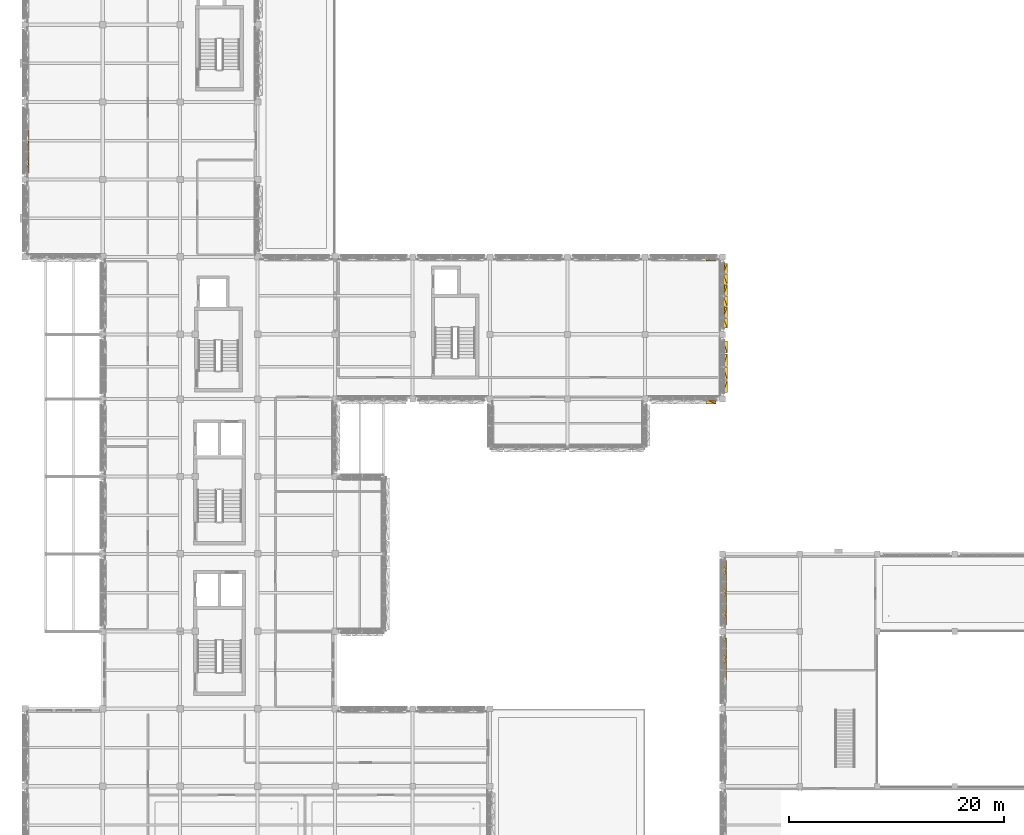
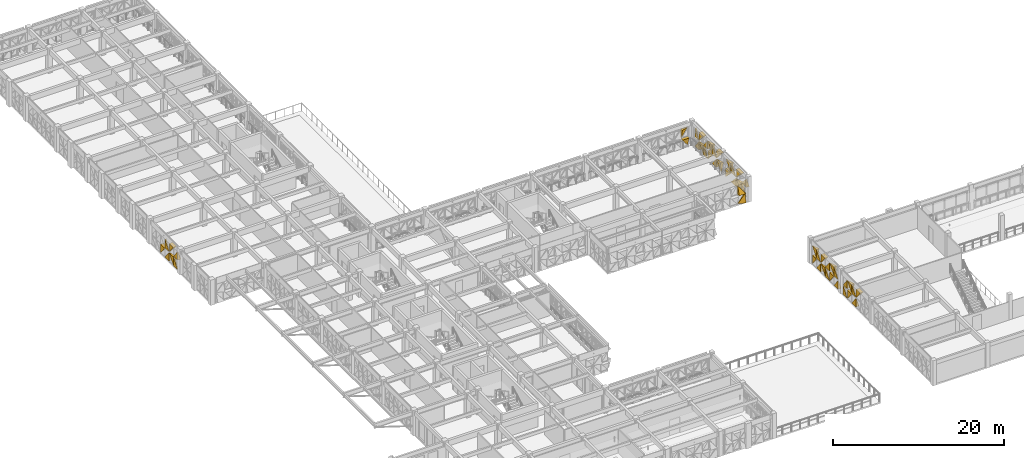
# One storey, part 95 of 99: 50 coverings.
"""IFC4 building model written with IfcOpenShell, lengths in metres."""

from ifc_helpers import new_model, si_unit, direction, frame, origin, place, context, subcontext, project, spatial, polygons, material, layer, layer_set, type_object, element, save


model = new_model("IFC4")

# Units and contexts
model_context = context("Model", 3, precision=1e-05, world=origin(), true_north=direction((0.0, 1.0)))
body_context = subcontext(model_context, "Body", "Model", "MODEL_VIEW")
ifc_project = project(units=[si_unit("LENGTHUNIT", "METRE"), si_unit("AREAUNIT", "SQUARE_METRE"), si_unit("VOLUMEUNIT", "CUBIC_METRE"), si_unit("PLANEANGLEUNIT", "RADIAN"), si_unit("MASSUNIT", "GRAM", prefix="KILO")], contexts=[model_context])

# Site, building, storey
site_placement = place(None, origin())
site = spatial("IfcSite", under=ifc_project, at=site_placement, CompositionType="ELEMENT")
building_placement = place(site_placement, origin())
building = spatial("IfcBuilding", under=site, at=building_placement, Name="Alvorim Cloister Faculty of Sciences", CompositionType="ELEMENT")
storey_placement = place(building_placement, frame((0.0, 0.0, 12.14990234375)))
storey = spatial("IfcBuildingStorey", under=building, at=storey_placement, Name="L03", CompositionType="ELEMENT", Elevation=12.14990234375)

# Coverings
ifc_material = material(Name="Perforated Bronze Alloy Sheet", Category="metal")
ifc_layer = layer(ifc_material, 0.0380859375)
ifc_layer_set = layer_set([ifc_layer], Name="Perforated Bronze Alloy Sheet")
covering_type = type_object("IfcCoveringType", Name="COV-TRI-BRZ", PredefinedType="CLADDING", material=ifc_layer_set)
covering_1_placement = place(storey_placement, frame((-0.044921875, 64.205078125, 0.14013671875), z_axis=(0.0, 0.0, 1.0), x_axis=(0.0, 1.0, 0.0)))
element("IfcCovering", 1, at=covering_1_placement, inside=storey, type_object=covering_type, Name="Diagonal Solid Metal Triangle TRI-BR", PredefinedType="CLADDING", context=body_context, shape_type="Tessellation", body=[
    polygons([(0.002, 0.0260009765625, 0.0), (0.922607421875, 0.0260009765625, 0.0), (0.922607421875, 0.0260009765625, 1.21284375), (0.002, -0.03, 0.0), (0.922607421875, -0.4, 0.0), (0.922607421875, -0.18000000000000002, 1.21284375)], [[[1, 3, 2]], [[4, 5, 6]], [[1, 2, 5, 4]], [[2, 3, 6, 5]], [[3, 1, 4, 6]]], closed=True),
])
covering_2_placement = place(storey_placement, frame((-0.044921875, 64.205078125, 1.4951171875), z_axis=(0.0, 0.0, 1.0), x_axis=(0.0, 1.0, 0.0)))
element("IfcCovering", 2, at=covering_2_placement, inside=storey, type_object=covering_type, Name="Diagonal Solid Metal Triangle TRI-BL", PredefinedType="CLADDING", context=body_context, shape_type="Tessellation", body=[
    polygons([(0.0, 0.0260009765625, 0.0), (0.920607421875, 0.0260009765625, 0.0), (0.0, 0.0260009765625, 1.213087890625), (0.0, -0.4, 0.0), (0.920607421875, -0.4, 0.0), (0.0, -0.03, 1.213087890625)], [[[1, 3, 2]], [[4, 5, 6]], [[1, 2, 5, 4]], [[2, 3, 6, 5]], [[3, 1, 4, 6]]], closed=True),
])
covering_3_placement = place(storey_placement, frame((-0.044921875, 65.1923828125, 0.14013671875), z_axis=(0.0, 0.0, 1.0), x_axis=(0.0, 1.0, 0.0)))
element("IfcCovering", 3, at=covering_3_placement, inside=storey, type_object=covering_type, Name="Diagonal Solid Metal Triangle TRI-TL", PredefinedType="CLADDING", context=body_context, shape_type="Tessellation", body=[
    polygons([(0.953078125, 0.0260009765625, 1.21484375), (0.0, 0.0260009765625, 1.21484375), (0.0, 0.0260009765625, 0.002), (0.953078125, -0.03, 1.21484375), (0.0, -0.4, 1.21484375), (0.0, -0.13999999999999999, 0.002)], [[[1, 3, 2]], [[4, 5, 6]], [[1, 2, 5, 4]], [[2, 3, 6, 5]], [[3, 1, 4, 6]]], closed=True),
])
covering_4_placement = place(storey_placement, frame((-0.044921875, 65.1923828125, 1.4951171875), z_axis=(0.0, 0.0, 1.0), x_axis=(0.0, 1.0, 0.0)))
element("IfcCovering", 4, at=covering_4_placement, inside=storey, type_object=covering_type, Name="Diagonal Solid Metal Triangle TRI-TR", PredefinedType="CLADDING", context=body_context, shape_type="Tessellation", body=[
    polygons([(0.955078125, 0.0260009765625, 0.002), (0.955078125, 0.0260009765625, 1.215087890625), (0.002, 0.0260009765625, 1.215087890625), (0.955078125, -0.03, 0.002), (0.955078125, -0.4, 1.215087890625), (0.002, -0.4, 1.215087890625)], [[[1, 3, 2]], [[4, 5, 6]], [[1, 2, 5, 4]], [[2, 3, 6, 5]], [[3, 1, 4, 6]]], closed=True),
])
covering_5_placement = place(storey_placement, frame((-0.044921875, 66.21240234375, 0.14013671875), z_axis=(0.0, 0.0, 1.0), x_axis=(0.0, 1.0, 0.0)))
element("IfcCovering", 5, at=covering_5_placement, inside=storey, type_object=covering_type, Name="Diagonal Solid Metal Triangle TRI-BL", PredefinedType="CLADDING", context=body_context, shape_type="Tessellation", body=[
    polygons([(0.0, 0.0260009765625, 0.0), (0.953078125, 0.0260009765625, 0.0), (0.0, 0.0260009765625, 1.21284375), (0.0, -0.4, 0.0), (0.953078125, -0.4, 0.0), (0.0, -0.03, 1.21284375)], [[[1, 3, 2]], [[4, 5, 6]], [[1, 2, 5, 4]], [[2, 3, 6, 5]], [[3, 1, 4, 6]]], closed=True),
])
covering_6_placement = place(storey_placement, frame((-0.044921875, 66.21240234375, 1.4951171875), z_axis=(0.0, 0.0, 1.0), x_axis=(0.0, 1.0, 0.0)))
element("IfcCovering", 6, at=covering_6_placement, inside=storey, type_object=covering_type, Name="Diagonal Solid Metal Triangle TRI-BR", PredefinedType="CLADDING", context=body_context, shape_type="Tessellation", body=[
    polygons([(0.002, 0.0260009765625, 0.0), (0.955078125, 0.0260009765625, 0.0), (0.955078125, 0.0260009765625, 1.213087890625), (0.002, -0.03, 0.0), (0.955078125, -0.4, 0.0), (0.955078125, -0.18000000000000002, 1.213087890625)], [[[1, 3, 2]], [[4, 5, 6]], [[1, 2, 5, 4]], [[2, 3, 6, 5]], [[3, 1, 4, 6]]], closed=True),
])
covering_7_placement = place(storey_placement, frame((-0.044921875, 67.232421875, 0.14013671875), z_axis=(0.0, 0.0, 1.0), x_axis=(0.0, 1.0, 0.0)))
element("IfcCovering", 7, at=covering_7_placement, inside=storey, type_object=covering_type, Name="Diagonal Solid Metal Triangle TRI-TR", PredefinedType="CLADDING", context=body_context, shape_type="Tessellation", body=[
    polygons([(0.955078125, 0.0260009765625, 0.002), (0.955078125, 0.0260009765625, 1.21484375), (0.002, 0.0260009765625, 1.21484375), (0.955078125, -0.03, 0.002), (0.955078125, -0.4, 1.21484375), (0.002, -0.4, 1.21484375)], [[[1, 3, 2]], [[4, 5, 6]], [[1, 2, 5, 4]], [[2, 3, 6, 5]], [[3, 1, 4, 6]]], closed=True),
])
covering_8_placement = place(storey_placement, frame((63.2724609375, 56.445068359375, 0.14013671875), z_axis=(0.0, 0.0, 1.0), x_axis=(1.0, 0.0, 0.0)))
element("IfcCovering", 8, at=covering_8_placement, inside=storey, type_object=covering_type, Name="Diagonal Solid Metal Triangle TRI-TR", PredefinedType="CLADDING", context=body_context, shape_type="Tessellation", body=[
    polygons([(0.922607421875, 0.0260009765625, 0.002), (0.922607421875, 0.0260009765625, 1.21484375), (0.002, 0.0260009765625, 1.21484375), (0.922607421875, -0.03, 0.002), (0.922607421875, -0.4, 1.21484375), (0.002, -0.4, 1.21484375)], [[[1, 3, 2]], [[4, 5, 6]], [[1, 2, 5, 4]], [[2, 3, 6, 5]], [[3, 1, 4, 6]]], closed=True),
])
covering_9_placement = place(storey_placement, frame((63.2724609375, 56.445068359375, 1.4951171875), z_axis=(0.0, 0.0, 1.0), x_axis=(1.0, 0.0, 0.0)))
element("IfcCovering", 9, at=covering_9_placement, inside=storey, type_object=covering_type, Name="Diagonal Solid Metal Triangle TRI-TL", PredefinedType="CLADDING", context=body_context, shape_type="Tessellation", body=[
    polygons([(0.920607421875, 0.0260009765625, 1.215087890625), (0.0, 0.0260009765625, 1.215087890625), (0.0, 0.0260009765625, 0.002), (0.920607421875, -0.03, 1.215087890625), (0.0, -0.4, 1.215087890625), (0.0, -0.13999999999999999, 0.002)], [[[1, 3, 2]], [[4, 5, 6]], [[1, 2, 5, 4]], [[2, 3, 6, 5]], [[3, 1, 4, 6]]], closed=True),
])
covering_10_placement = place(storey_placement, frame((64.844970703125, 49.804931640625, 0.14013671875), z_axis=(0.0, 0.0, 1.0), x_axis=(0.0, 1.0, 0.0)))
element("IfcCovering", 10, at=covering_10_placement, inside=storey, type_object=covering_type, Name="Diagonal Solid Metal Triangle TRI-TL", PredefinedType="CLADDING", context=body_context, shape_type="Tessellation", body=[
    polygons([(0.920607421875, 0.0260009765625, 1.21484375), (0.0, 0.0260009765625, 1.21484375), (0.0, 0.0260009765625, 0.002), (0.920607421875, -0.03, 1.21484375), (0.0, -0.4, 1.21484375), (0.0, -0.13999999999999999, 0.002)], [[[1, 3, 2]], [[4, 5, 6]], [[1, 2, 5, 4]], [[2, 3, 6, 5]], [[3, 1, 4, 6]]], closed=True),
])
covering_11_placement = place(storey_placement, frame((64.844970703125, 49.804931640625, 1.4951171875), z_axis=(0.0, 0.0, 1.0), x_axis=(0.0, 1.0, 0.0)))
element("IfcCovering", 11, at=covering_11_placement, inside=storey, type_object=covering_type, Name="Diagonal Solid Metal Triangle TRI-TR", PredefinedType="CLADDING", context=body_context, shape_type="Tessellation", body=[
    polygons([(0.922607421875, 0.0260009765625, 0.002), (0.922607421875, 0.0260009765625, 1.215087890625), (0.002, 0.0260009765625, 1.215087890625), (0.922607421875, -0.03, 0.002), (0.922607421875, -0.4, 1.215087890625), (0.002, -0.4, 1.215087890625)], [[[1, 3, 2]], [[4, 5, 6]], [[1, 2, 5, 4]], [[2, 3, 6, 5]], [[3, 1, 4, 6]]], closed=True),
])
covering_12_placement = place(storey_placement, frame((64.844970703125, 50.79248046875, 0.14013671875), z_axis=(0.0, 0.0, 1.0), x_axis=(0.0, 1.0, 0.0)))
element("IfcCovering", 12, at=covering_12_placement, inside=storey, type_object=covering_type, Name="Diagonal Solid Metal Triangle TRI-BL", PredefinedType="CLADDING", context=body_context, shape_type="Tessellation", body=[
    polygons([(0.0, 0.0260009765625, 0.0), (0.953078125, 0.0260009765625, 0.0), (0.0, 0.0260009765625, 1.21284375), (0.0, -0.4, 0.0), (0.953078125, -0.4, 0.0), (0.0, -0.03, 1.21284375)], [[[1, 3, 2]], [[4, 5, 6]], [[1, 2, 5, 4]], [[2, 3, 6, 5]], [[3, 1, 4, 6]]], closed=True),
])
covering_13_placement = place(storey_placement, frame((64.844970703125, 50.79248046875, 1.4951171875), z_axis=(0.0, 0.0, 1.0), x_axis=(0.0, 1.0, 0.0)))
element("IfcCovering", 13, at=covering_13_placement, inside=storey, type_object=covering_type, Name="Diagonal Solid Metal Triangle TRI-BR", PredefinedType="CLADDING", context=body_context, shape_type="Tessellation", body=[
    polygons([(0.002, 0.0260009765625, 0.0), (0.955078125, 0.0260009765625, 0.0), (0.955078125, 0.0260009765625, 1.213087890625), (0.002, -0.03, 0.0), (0.955078125, -0.4, 0.0), (0.955078125, -0.18000000000000002, 1.213087890625)], [[[1, 3, 2]], [[4, 5, 6]], [[1, 2, 5, 4]], [[2, 3, 6, 5]], [[3, 1, 4, 6]]], closed=True),
])
covering_14_placement = place(storey_placement, frame((64.844970703125, 51.8125, 0.14013671875), z_axis=(0.0, 0.0, 1.0), x_axis=(0.0, 1.0, 0.0)))
element("IfcCovering", 14, at=covering_14_placement, inside=storey, type_object=covering_type, Name="Diagonal Solid Metal Triangle TRI-TR", PredefinedType="CLADDING", context=body_context, shape_type="Tessellation", body=[
    polygons([(0.955078125, 0.0260009765625, 0.002), (0.955078125, 0.0260009765625, 1.21484375), (0.002, 0.0260009765625, 1.21484375), (0.955078125, -0.03, 0.002), (0.955078125, -0.4, 1.21484375), (0.002, -0.4, 1.21484375)], [[[1, 3, 2]], [[4, 5, 6]], [[1, 2, 5, 4]], [[2, 3, 6, 5]], [[3, 1, 4, 6]]], closed=True),
])
covering_15_placement = place(storey_placement, frame((64.844970703125, 51.8125, 1.4951171875), z_axis=(0.0, 0.0, 1.0), x_axis=(0.0, 1.0, 0.0)))
element("IfcCovering", 15, at=covering_15_placement, inside=storey, type_object=covering_type, Name="Diagonal Solid Metal Triangle TRI-TL", PredefinedType="CLADDING", context=body_context, shape_type="Tessellation", body=[
    polygons([(0.953078125, 0.0260009765625, 1.215087890625), (0.0, 0.0260009765625, 1.215087890625), (0.0, 0.0260009765625, 0.002), (0.953078125, -0.03, 1.215087890625), (0.0, -0.4, 1.215087890625), (0.0, -0.13999999999999999, 0.002)], [[[1, 3, 2]], [[4, 5, 6]], [[1, 2, 5, 4]], [[2, 3, 6, 5]], [[3, 1, 4, 6]]], closed=True),
])
covering_16_placement = place(storey_placement, frame((64.844970703125, 52.83251953125, 0.14013671875), z_axis=(0.0, 0.0, 1.0), x_axis=(0.0, 1.0, 0.0)))
element("IfcCovering", 16, at=covering_16_placement, inside=storey, type_object=covering_type, Name="Diagonal Solid Metal Triangle TRI-BR", PredefinedType="CLADDING", context=body_context, shape_type="Tessellation", body=[
    polygons([(0.002, 0.0260009765625, 0.0), (0.955078125, 0.0260009765625, 0.0), (0.955078125, 0.0260009765625, 1.21284375), (0.002, -0.03, 0.0), (0.955078125, -0.4, 0.0), (0.955078125, -0.18000000000000002, 1.21284375)], [[[1, 3, 2]], [[4, 5, 6]], [[1, 2, 5, 4]], [[2, 3, 6, 5]], [[3, 1, 4, 6]]], closed=True),
])
covering_17_placement = place(storey_placement, frame((64.844970703125, 52.83251953125, 1.4951171875), z_axis=(0.0, 0.0, 1.0), x_axis=(0.0, 1.0, 0.0)))
element("IfcCovering", 17, at=covering_17_placement, inside=storey, type_object=covering_type, Name="Diagonal Solid Metal Triangle TRI-BL", PredefinedType="CLADDING", context=body_context, shape_type="Tessellation", body=[
    polygons([(0.0, 0.0260009765625, 0.0), (0.953078125, 0.0260009765625, 0.0), (0.0, 0.0260009765625, 1.213087890625), (0.0, -0.4, 0.0), (0.953078125, -0.4, 0.0), (0.0, -0.03, 1.213087890625)], [[[1, 3, 2]], [[4, 5, 6]], [[1, 2, 5, 4]], [[2, 3, 6, 5]], [[3, 1, 4, 6]]], closed=True),
])
covering_18_placement = place(storey_placement, frame((64.844970703125, 53.8525390625, 0.14013671875), z_axis=(0.0, 0.0, 1.0), x_axis=(0.0, 1.0, 0.0)))
element("IfcCovering", 18, at=covering_18_placement, inside=storey, type_object=covering_type, Name="Diagonal Solid Metal Triangle TRI-TL", PredefinedType="CLADDING", context=body_context, shape_type="Tessellation", body=[
    polygons([(0.953078125, 0.0260009765625, 1.21484375), (0.0, 0.0260009765625, 1.21484375), (0.0, 0.0260009765625, 0.002), (0.953078125, -0.03, 1.21484375), (0.0, -0.4, 1.21484375), (0.0, -0.13999999999999999, 0.002)], [[[1, 3, 2]], [[4, 5, 6]], [[1, 2, 5, 4]], [[2, 3, 6, 5]], [[3, 1, 4, 6]]], closed=True),
])
covering_19_placement = place(storey_placement, frame((64.844970703125, 53.8525390625, 1.4951171875), z_axis=(0.0, 0.0, 1.0), x_axis=(0.0, 1.0, 0.0)))
element("IfcCovering", 19, at=covering_19_placement, inside=storey, type_object=covering_type, Name="Diagonal Solid Metal Triangle TRI-TR", PredefinedType="CLADDING", context=body_context, shape_type="Tessellation", body=[
    polygons([(0.955078125, 0.0260009765625, 0.002), (0.955078125, 0.0260009765625, 1.215087890625), (0.002, 0.0260009765625, 1.215087890625), (0.955078125, -0.03, 0.002), (0.955078125, -0.4, 1.215087890625), (0.002, -0.4, 1.215087890625)], [[[1, 3, 2]], [[4, 5, 6]], [[1, 2, 5, 4]], [[2, 3, 6, 5]], [[3, 1, 4, 6]]], closed=True),
])
covering_20_placement = place(storey_placement, frame((64.844970703125, 54.87255859375, 0.14013671875), z_axis=(0.0, 0.0, 1.0), x_axis=(0.0, 1.0, 0.0)))
element("IfcCovering", 20, at=covering_20_placement, inside=storey, type_object=covering_type, Name="Diagonal Solid Metal Triangle TRI-BL", PredefinedType="CLADDING", context=body_context, shape_type="Tessellation", body=[
    polygons([(0.0, 0.0260009765625, 0.0), (0.920607421875, 0.0260009765625, 0.0), (0.0, 0.0260009765625, 1.21284375), (0.0, -0.4, 0.0), (0.920607421875, -0.4, 0.0), (0.0, -0.03, 1.21284375)], [[[1, 3, 2]], [[4, 5, 6]], [[1, 2, 5, 4]], [[2, 3, 6, 5]], [[3, 1, 4, 6]]], closed=True),
])
covering_21_placement = place(storey_placement, frame((64.844970703125, 54.87255859375, 1.4951171875), z_axis=(0.0, 0.0, 1.0), x_axis=(0.0, 1.0, 0.0)))
element("IfcCovering", 21, at=covering_21_placement, inside=storey, type_object=covering_type, Name="Diagonal Solid Metal Triangle TRI-BR", PredefinedType="CLADDING", context=body_context, shape_type="Tessellation", body=[
    polygons([(0.002, 0.0260009765625, 0.0), (0.922607421875, 0.0260009765625, 0.0), (0.922607421875, 0.0260009765625, 1.213087890625), (0.002, -0.03, 0.0), (0.922607421875, -0.4, 0.0), (0.922607421875, -0.18000000000000002, 1.213087890625)], [[[1, 3, 2]], [[4, 5, 6]], [[1, 2, 5, 4]], [[2, 3, 6, 5]], [[3, 1, 4, 6]]], closed=True),
])
covering_22_placement = place(storey_placement, frame((64.844970703125, 43.804931640625, 0.14013671875), z_axis=(0.0, 0.0, 1.0), x_axis=(0.0, 1.0, 0.0)))
element("IfcCovering", 22, at=covering_22_placement, inside=storey, type_object=covering_type, Name="Diagonal Solid Metal Triangle TRI-BR", PredefinedType="CLADDING", context=body_context, shape_type="Tessellation", body=[
    polygons([(0.002, 0.0260009765625, 0.0), (1.132568359375, 0.0260009765625, 0.0), (1.132568359375, 0.0260009765625, 1.21284375), (0.002, -0.03, 0.0), (1.132568359375, -0.4, 0.0), (1.132568359375, -0.18000000000000002, 1.21284375)], [[[1, 3, 2]], [[4, 5, 6]], [[1, 2, 5, 4]], [[2, 3, 6, 5]], [[3, 1, 4, 6]]], closed=True),
])
covering_23_placement = place(storey_placement, frame((64.844970703125, 43.804931640625, 1.4951171875), z_axis=(0.0, 0.0, 1.0), x_axis=(0.0, 1.0, 0.0)))
element("IfcCovering", 23, at=covering_23_placement, inside=storey, type_object=covering_type, Name="Diagonal Solid Metal Triangle TRI-BL", PredefinedType="CLADDING", context=body_context, shape_type="Tessellation", body=[
    polygons([(0.0, 0.0260009765625, 0.0), (1.130568359375, 0.0260009765625, 0.0), (0.0, 0.0260009765625, 1.213087890625), (0.0, -0.4, 0.0), (1.130568359375, -0.4, 0.0), (0.0, -0.03, 1.213087890625)], [[[1, 3, 2]], [[4, 5, 6]], [[1, 2, 5, 4]], [[2, 3, 6, 5]], [[3, 1, 4, 6]]], closed=True),
])
covering_24_placement = place(storey_placement, frame((64.844970703125, 45.00244140625, 0.14013671875), z_axis=(0.0, 0.0, 1.0), x_axis=(0.0, 1.0, 0.0)))
element("IfcCovering", 24, at=covering_24_placement, inside=storey, type_object=covering_type, Name="Diagonal Solid Metal Triangle TRI-TL", PredefinedType="CLADDING", context=body_context, shape_type="Tessellation", body=[
    polygons([(1.1630390625, 0.0260009765625, 1.21484375), (0.0, 0.0260009765625, 1.21484375), (0.0, 0.0260009765625, 0.002), (1.1630390625, -0.03, 1.21484375), (0.0, -0.4, 1.21484375), (0.0, -0.13999999999999999, 0.002)], [[[1, 3, 2]], [[4, 5, 6]], [[1, 2, 5, 4]], [[2, 3, 6, 5]], [[3, 1, 4, 6]]], closed=True),
])
covering_25_placement = place(storey_placement, frame((64.844970703125, 45.00244140625, 1.4951171875), z_axis=(0.0, 0.0, 1.0), x_axis=(0.0, 1.0, 0.0)))
element("IfcCovering", 25, at=covering_25_placement, inside=storey, type_object=covering_type, Name="Diagonal Solid Metal Triangle TRI-TR", PredefinedType="CLADDING", context=body_context, shape_type="Tessellation", body=[
    polygons([(1.1650390625, 0.0260009765625, 0.002), (1.1650390625, 0.0260009765625, 1.215087890625), (0.002, 0.0260009765625, 1.215087890625), (1.1650390625, -0.03, 0.002), (1.1650390625, -0.4, 1.215087890625), (0.002, -0.4, 1.215087890625)], [[[1, 3, 2]], [[4, 5, 6]], [[1, 2, 5, 4]], [[2, 3, 6, 5]], [[3, 1, 4, 6]]], closed=True),
])
covering_26_placement = place(storey_placement, frame((64.844970703125, 46.232421875, 0.14013671875), z_axis=(0.0, 0.0, 1.0), x_axis=(0.0, 1.0, 0.0)))
element("IfcCovering", 26, at=covering_26_placement, inside=storey, type_object=covering_type, Name="Diagonal Solid Metal Triangle TRI-BL", PredefinedType="CLADDING", context=body_context, shape_type="Tessellation", body=[
    polygons([(0.0, 0.0260009765625, 0.0), (1.1630390625, 0.0260009765625, 0.0), (0.0, 0.0260009765625, 1.21284375), (0.0, -0.4, 0.0), (1.1630390625, -0.4, 0.0), (0.0, -0.03, 1.21284375)], [[[1, 3, 2]], [[4, 5, 6]], [[1, 2, 5, 4]], [[2, 3, 6, 5]], [[3, 1, 4, 6]]], closed=True),
])
covering_27_placement = place(storey_placement, frame((64.844970703125, 46.232421875, 1.4951171875), z_axis=(0.0, 0.0, 1.0), x_axis=(0.0, 1.0, 0.0)))
element("IfcCovering", 27, at=covering_27_placement, inside=storey, type_object=covering_type, Name="Diagonal Solid Metal Triangle TRI-BR", PredefinedType="CLADDING", context=body_context, shape_type="Tessellation", body=[
    polygons([(0.002, 0.0260009765625, 0.0), (1.1650390625, 0.0260009765625, 0.0), (1.1650390625, 0.0260009765625, 1.213087890625), (0.002, -0.03, 0.0), (1.1650390625, -0.4, 0.0), (1.1650390625, -0.18000000000000002, 1.213087890625)], [[[1, 3, 2]], [[4, 5, 6]], [[1, 2, 5, 4]], [[2, 3, 6, 5]], [[3, 1, 4, 6]]], closed=True),
])
covering_28_placement = place(storey_placement, frame((64.844970703125, 47.46240234375, 0.14013671875), z_axis=(0.0, 0.0, 1.0), x_axis=(0.0, 1.0, 0.0)))
element("IfcCovering", 28, at=covering_28_placement, inside=storey, type_object=covering_type, Name="Diagonal Solid Metal Triangle TRI-TR", PredefinedType="CLADDING", context=body_context, shape_type="Tessellation", body=[
    polygons([(1.132568359375, 0.0260009765625, 0.002), (1.132568359375, 0.0260009765625, 1.21484375), (0.002, 0.0260009765625, 1.21484375), (1.132568359375, -0.03, 0.002), (1.132568359375, -0.4, 1.21484375), (0.002, -0.4, 1.21484375)], [[[1, 3, 2]], [[4, 5, 6]], [[1, 2, 5, 4]], [[2, 3, 6, 5]], [[3, 1, 4, 6]]], closed=True),
])
covering_29_placement = place(storey_placement, frame((64.844970703125, 47.46240234375, 1.4951171875), z_axis=(0.0, 0.0, 1.0), x_axis=(0.0, 1.0, 0.0)))
element("IfcCovering", 29, at=covering_29_placement, inside=storey, type_object=covering_type, Name="Diagonal Solid Metal Triangle TRI-TL", PredefinedType="CLADDING", context=body_context, shape_type="Tessellation", body=[
    polygons([(1.130568359375, 0.0260009765625, 1.215087890625), (0.0, 0.0260009765625, 1.215087890625), (0.0, 0.0260009765625, 0.002), (1.130568359375, -0.03, 1.215087890625), (0.0, -0.4, 1.215087890625), (0.0, -0.13999999999999999, 0.002)], [[[1, 3, 2]], [[4, 5, 6]], [[1, 2, 5, 4]], [[2, 3, 6, 5]], [[3, 1, 4, 6]]], closed=True),
])
covering_30_placement = place(storey_placement, frame((63.2724609375, 43.155029296875, 0.14013671875), z_axis=(0.0, 0.0, 1.0), x_axis=(1.0, 0.0, 0.0)))
element("IfcCovering", 30, at=covering_30_placement, inside=storey, type_object=covering_type, Name="Diagonal Solid Metal Triangle TRI-BR", PredefinedType="CLADDING", context=body_context, shape_type="Tessellation", body=[
    polygons([(0.002, 0.0260009765625, 0.0), (0.922607421875, 0.0260009765625, 0.0), (0.922607421875, 0.0260009765625, 1.21284375), (0.002, -0.03, 0.0), (0.922607421875, -0.4, 0.0), (0.922607421875, -0.18000000000000002, 1.21284375)], [[[1, 3, 2]], [[4, 5, 6]], [[1, 2, 5, 4]], [[2, 3, 6, 5]], [[3, 1, 4, 6]]], closed=True),
])
covering_31_placement = place(storey_placement, frame((63.2724609375, 43.155029296875, 1.4951171875), z_axis=(0.0, 0.0, 1.0), x_axis=(1.0, 0.0, 0.0)))
element("IfcCovering", 31, at=covering_31_placement, inside=storey, type_object=covering_type, Name="Diagonal Solid Metal Triangle TRI-BL", PredefinedType="CLADDING", context=body_context, shape_type="Tessellation", body=[
    polygons([(0.0, 0.0260009765625, 0.0), (0.920607421875, 0.0260009765625, 0.0), (0.0, 0.0260009765625, 1.213087890625), (0.0, -0.4, 0.0), (0.920607421875, -0.4, 0.0), (0.0, -0.03, 1.213087890625)], [[[1, 3, 2]], [[4, 5, 6]], [[1, 2, 5, 4]], [[2, 3, 6, 5]], [[3, 1, 4, 6]]], closed=True),
])
covering_32_placement = place(storey_placement, frame((64.7548828125, 17.012451171875, 1.4951171875), z_axis=(0.0, 0.0, 1.0), x_axis=(0.0, 1.0, 0.0)))
element("IfcCovering", 32, at=covering_32_placement, inside=storey, type_object=covering_type, Name="Diagonal Solid Metal Triangle TRI-TR", PredefinedType="CLADDING", context=body_context, shape_type="Tessellation", body=[
    polygons([(0.955078125, 0.0260009765625, 0.002), (0.955078125, 0.0260009765625, 1.215087890625), (0.002, 0.0260009765625, 1.215087890625), (0.955078125, -0.03, 0.002), (0.955078125, -0.4, 1.215087890625), (0.002, -0.4, 1.215087890625)], [[[1, 3, 2]], [[4, 5, 6]], [[1, 2, 5, 4]], [[2, 3, 6, 5]], [[3, 1, 4, 6]]], closed=True),
])
covering_33_placement = place(storey_placement, frame((64.7548828125, 18.032470703125, 0.14013671875), z_axis=(0.0, 0.0, 1.0), x_axis=(0.0, 1.0, 0.0)))
element("IfcCovering", 33, at=covering_33_placement, inside=storey, type_object=covering_type, Name="Diagonal Solid Metal Triangle TRI-BL", PredefinedType="CLADDING", context=body_context, shape_type="Tessellation", body=[
    polygons([(0.0, 0.0260009765625, 0.0), (0.953078125, 0.0260009765625, 0.0), (0.0, 0.0260009765625, 1.21284375), (0.0, -0.4, 0.0), (0.953078125, -0.4, 0.0), (0.0, -0.03, 1.21284375)], [[[1, 3, 2]], [[4, 5, 6]], [[1, 2, 5, 4]], [[2, 3, 6, 5]], [[3, 1, 4, 6]]], closed=True),
])
covering_34_placement = place(storey_placement, frame((64.7548828125, 18.032470703125, 1.4951171875), z_axis=(0.0, 0.0, 1.0), x_axis=(0.0, 1.0, 0.0)))
element("IfcCovering", 34, at=covering_34_placement, inside=storey, type_object=covering_type, Name="Diagonal Solid Metal Triangle TRI-BR", PredefinedType="CLADDING", context=body_context, shape_type="Tessellation", body=[
    polygons([(0.002, 0.0260009765625, 0.0), (0.955078125, 0.0260009765625, 0.0), (0.955078125, 0.0260009765625, 1.213087890625), (0.002, -0.03, 0.0), (0.955078125, -0.4, 0.0), (0.955078125, -0.18000000000000002, 1.213087890625)], [[[1, 3, 2]], [[4, 5, 6]], [[1, 2, 5, 4]], [[2, 3, 6, 5]], [[3, 1, 4, 6]]], closed=True),
])
covering_35_placement = place(storey_placement, frame((64.7548828125, 19.052490234375, 0.14013671875), z_axis=(0.0, 0.0, 1.0), x_axis=(0.0, 1.0, 0.0)))
element("IfcCovering", 35, at=covering_35_placement, inside=storey, type_object=covering_type, Name="Diagonal Solid Metal Triangle TRI-TR", PredefinedType="CLADDING", context=body_context, shape_type="Tessellation", body=[
    polygons([(0.955078125, 0.0260009765625, 0.002), (0.955078125, 0.0260009765625, 1.21484375), (0.002, 0.0260009765625, 1.21484375), (0.955078125, -0.03, 0.002), (0.955078125, -0.4, 1.21484375), (0.002, -0.4, 1.21484375)], [[[1, 3, 2]], [[4, 5, 6]], [[1, 2, 5, 4]], [[2, 3, 6, 5]], [[3, 1, 4, 6]]], closed=True),
])
covering_36_placement = place(storey_placement, frame((64.7548828125, 19.052490234375, 1.4951171875), z_axis=(0.0, 0.0, 1.0), x_axis=(0.0, 1.0, 0.0)))
element("IfcCovering", 36, at=covering_36_placement, inside=storey, type_object=covering_type, Name="Diagonal Solid Metal Triangle TRI-TL", PredefinedType="CLADDING", context=body_context, shape_type="Tessellation", body=[
    polygons([(0.953078125, 0.0260009765625, 1.215087890625), (0.0, 0.0260009765625, 1.215087890625), (0.0, 0.0260009765625, 0.002), (0.953078125, -0.03, 1.215087890625), (0.0, -0.4, 1.215087890625), (0.0, -0.13999999999999999, 0.002)], [[[1, 3, 2]], [[4, 5, 6]], [[1, 2, 5, 4]], [[2, 3, 6, 5]], [[3, 1, 4, 6]]], closed=True),
])
covering_37_placement = place(storey_placement, frame((64.7548828125, 20.072509765625, 0.14013671875), z_axis=(0.0, 0.0, 1.0), x_axis=(0.0, 1.0, 0.0)))
element("IfcCovering", 37, at=covering_37_placement, inside=storey, type_object=covering_type, Name="Diagonal Solid Metal Triangle TRI-BR", PredefinedType="CLADDING", context=body_context, shape_type="Tessellation", body=[
    polygons([(0.002, 0.0260009765625, 0.0), (0.922607421875, 0.0260009765625, 0.0), (0.922607421875, 0.0260009765625, 1.21284375), (0.002, -0.03, 0.0), (0.922607421875, -0.4, 0.0), (0.922607421875, -0.18000000000000002, 1.21284375)], [[[1, 3, 2]], [[4, 5, 6]], [[1, 2, 5, 4]], [[2, 3, 6, 5]], [[3, 1, 4, 6]]], closed=True),
])
covering_38_placement = place(storey_placement, frame((64.7548828125, 20.072509765625, 1.4951171875), z_axis=(0.0, 0.0, 1.0), x_axis=(0.0, 1.0, 0.0)))
element("IfcCovering", 38, at=covering_38_placement, inside=storey, type_object=covering_type, Name="Diagonal Solid Metal Triangle TRI-BL", PredefinedType="CLADDING", context=body_context, shape_type="Tessellation", body=[
    polygons([(0.0, 0.0260009765625, 0.0), (0.920607421875, 0.0260009765625, 0.0), (0.0, 0.0260009765625, 1.213087890625), (0.0, -0.4, 0.0), (0.920607421875, -0.4, 0.0), (0.0, -0.03, 1.213087890625)], [[[1, 3, 2]], [[4, 5, 6]], [[1, 2, 5, 4]], [[2, 3, 6, 5]], [[3, 1, 4, 6]]], closed=True),
])
covering_39_placement = place(storey_placement, frame((64.7548828125, 22.205078125, 0.14013671875), z_axis=(0.0, 0.0, 1.0), x_axis=(0.0, 1.0, 0.0)))
element("IfcCovering", 39, at=covering_39_placement, inside=storey, type_object=covering_type, Name="Diagonal Solid Metal Triangle TRI-BL", PredefinedType="CLADDING", context=body_context, shape_type="Tessellation", body=[
    polygons([(0.0, 0.0260009765625, 0.0), (0.920607421875, 0.0260009765625, 0.0), (0.0, 0.0260009765625, 1.21284375), (0.0, -0.4, 0.0), (0.920607421875, -0.4, 0.0), (0.0, -0.03, 1.21284375)], [[[1, 3, 2]], [[4, 5, 6]], [[1, 2, 5, 4]], [[2, 3, 6, 5]], [[3, 1, 4, 6]]], closed=True),
])
covering_40_placement = place(storey_placement, frame((64.7548828125, 22.205078125, 1.4951171875), z_axis=(0.0, 0.0, 1.0), x_axis=(0.0, 1.0, 0.0)))
element("IfcCovering", 40, at=covering_40_placement, inside=storey, type_object=covering_type, Name="Diagonal Solid Metal Triangle TRI-BR", PredefinedType="CLADDING", context=body_context, shape_type="Tessellation", body=[
    polygons([(0.002, 0.0260009765625, 0.0), (0.922607421875, 0.0260009765625, 0.0), (0.922607421875, 0.0260009765625, 1.213087890625), (0.002, -0.03, 0.0), (0.922607421875, -0.4, 0.0), (0.922607421875, -0.18000000000000002, 1.213087890625)], [[[1, 3, 2]], [[4, 5, 6]], [[1, 2, 5, 4]], [[2, 3, 6, 5]], [[3, 1, 4, 6]]], closed=True),
])
covering_41_placement = place(storey_placement, frame((64.7548828125, 23.1923828125, 0.14013671875), z_axis=(0.0, 0.0, 1.0), x_axis=(0.0, 1.0, 0.0)))
element("IfcCovering", 41, at=covering_41_placement, inside=storey, type_object=covering_type, Name="Diagonal Solid Metal Triangle TRI-TR", PredefinedType="CLADDING", context=body_context, shape_type="Tessellation", body=[
    polygons([(0.955078125, 0.0260009765625, 0.002), (0.955078125, 0.0260009765625, 1.21484375), (0.002, 0.0260009765625, 1.21484375), (0.955078125, -0.03, 0.002), (0.955078125, -0.4, 1.21484375), (0.002, -0.4, 1.21484375)], [[[1, 3, 2]], [[4, 5, 6]], [[1, 2, 5, 4]], [[2, 3, 6, 5]], [[3, 1, 4, 6]]], closed=True),
])
covering_42_placement = place(storey_placement, frame((64.7548828125, 23.1923828125, 1.4951171875), z_axis=(0.0, 0.0, 1.0), x_axis=(0.0, 1.0, 0.0)))
element("IfcCovering", 42, at=covering_42_placement, inside=storey, type_object=covering_type, Name="Diagonal Solid Metal Triangle TRI-TL", PredefinedType="CLADDING", context=body_context, shape_type="Tessellation", body=[
    polygons([(0.953078125, 0.0260009765625, 1.215087890625), (0.0, 0.0260009765625, 1.215087890625), (0.0, 0.0260009765625, 0.002), (0.953078125, -0.03, 1.215087890625), (0.0, -0.4, 1.215087890625), (0.0, -0.13999999999999999, 0.002)], [[[1, 3, 2]], [[4, 5, 6]], [[1, 2, 5, 4]], [[2, 3, 6, 5]], [[3, 1, 4, 6]]], closed=True),
])
covering_43_placement = place(storey_placement, frame((64.7548828125, 24.21240234375, 0.14013671875), z_axis=(0.0, 0.0, 1.0), x_axis=(0.0, 1.0, 0.0)))
element("IfcCovering", 43, at=covering_43_placement, inside=storey, type_object=covering_type, Name="Diagonal Solid Metal Triangle TRI-BR", PredefinedType="CLADDING", context=body_context, shape_type="Tessellation", body=[
    polygons([(0.002, 0.0260009765625, 0.0), (0.955078125, 0.0260009765625, 0.0), (0.955078125, 0.0260009765625, 1.21284375), (0.002, -0.03, 0.0), (0.955078125, -0.4, 0.0), (0.955078125, -0.18000000000000002, 1.21284375)], [[[1, 3, 2]], [[4, 5, 6]], [[1, 2, 5, 4]], [[2, 3, 6, 5]], [[3, 1, 4, 6]]], closed=True),
])
covering_44_placement = place(storey_placement, frame((64.7548828125, 24.21240234375, 1.4951171875), z_axis=(0.0, 0.0, 1.0), x_axis=(0.0, 1.0, 0.0)))
element("IfcCovering", 44, at=covering_44_placement, inside=storey, type_object=covering_type, Name="Diagonal Solid Metal Triangle TRI-BL", PredefinedType="CLADDING", context=body_context, shape_type="Tessellation", body=[
    polygons([(0.0, 0.0260009765625, 0.0), (0.953078125, 0.0260009765625, 0.0), (0.0, 0.0260009765625, 1.213087890625), (0.0, -0.4, 0.0), (0.953078125, -0.4, 0.0), (0.0, -0.03, 1.213087890625)], [[[1, 3, 2]], [[4, 5, 6]], [[1, 2, 5, 4]], [[2, 3, 6, 5]], [[3, 1, 4, 6]]], closed=True),
])
covering_45_placement = place(storey_placement, frame((64.7548828125, 25.232421875, 0.14013671875), z_axis=(0.0, 0.0, 1.0), x_axis=(0.0, 1.0, 0.0)))
element("IfcCovering", 45, at=covering_45_placement, inside=storey, type_object=covering_type, Name="Diagonal Solid Metal Triangle TRI-TL", PredefinedType="CLADDING", context=body_context, shape_type="Tessellation", body=[
    polygons([(0.953078125, 0.0260009765625, 1.21484375), (0.0, 0.0260009765625, 1.21484375), (0.0, 0.0260009765625, 0.002), (0.953078125, -0.03, 1.21484375), (0.0, -0.4, 1.21484375), (0.0, -0.13999999999999999, 0.002)], [[[1, 3, 2]], [[4, 5, 6]], [[1, 2, 5, 4]], [[2, 3, 6, 5]], [[3, 1, 4, 6]]], closed=True),
])
covering_46_placement = place(storey_placement, frame((64.7548828125, 25.232421875, 1.4951171875), z_axis=(0.0, 0.0, 1.0), x_axis=(0.0, 1.0, 0.0)))
element("IfcCovering", 46, at=covering_46_placement, inside=storey, type_object=covering_type, Name="Diagonal Solid Metal Triangle TRI-TR", PredefinedType="CLADDING", context=body_context, shape_type="Tessellation", body=[
    polygons([(0.955078125, 0.0260009765625, 0.002), (0.955078125, 0.0260009765625, 1.215087890625), (0.002, 0.0260009765625, 1.215087890625), (0.955078125, -0.03, 0.002), (0.955078125, -0.4, 1.215087890625), (0.002, -0.4, 1.215087890625)], [[[1, 3, 2]], [[4, 5, 6]], [[1, 2, 5, 4]], [[2, 3, 6, 5]], [[3, 1, 4, 6]]], closed=True),
])
covering_47_placement = place(storey_placement, frame((64.7548828125, 26.25244140625, 0.14013671875), z_axis=(0.0, 0.0, 1.0), x_axis=(0.0, 1.0, 0.0)))
element("IfcCovering", 47, at=covering_47_placement, inside=storey, type_object=covering_type, Name="Diagonal Solid Metal Triangle TRI-BL", PredefinedType="CLADDING", context=body_context, shape_type="Tessellation", body=[
    polygons([(0.0, 0.0260009765625, 0.0), (0.953078125, 0.0260009765625, 0.0), (0.0, 0.0260009765625, 1.21284375), (0.0, -0.4, 0.0), (0.953078125, -0.4, 0.0), (0.0, -0.03, 1.21284375)], [[[1, 3, 2]], [[4, 5, 6]], [[1, 2, 5, 4]], [[2, 3, 6, 5]], [[3, 1, 4, 6]]], closed=True),
])
covering_48_placement = place(storey_placement, frame((64.7548828125, 26.25244140625, 1.4951171875), z_axis=(0.0, 0.0, 1.0), x_axis=(0.0, 1.0, 0.0)))
element("IfcCovering", 48, at=covering_48_placement, inside=storey, type_object=covering_type, Name="Diagonal Solid Metal Triangle TRI-BR", PredefinedType="CLADDING", context=body_context, shape_type="Tessellation", body=[
    polygons([(0.002, 0.0260009765625, 0.0), (0.955078125, 0.0260009765625, 0.0), (0.955078125, 0.0260009765625, 1.213087890625), (0.002, -0.03, 0.0), (0.955078125, -0.4, 0.0), (0.955078125, -0.18000000000000002, 1.213087890625)], [[[1, 3, 2]], [[4, 5, 6]], [[1, 2, 5, 4]], [[2, 3, 6, 5]], [[3, 1, 4, 6]]], closed=True),
])
covering_49_placement = place(storey_placement, frame((64.7548828125, 27.2724609375, 0.14013671875), z_axis=(0.0, 0.0, 1.0), x_axis=(0.0, 1.0, 0.0)))
element("IfcCovering", 49, at=covering_49_placement, inside=storey, type_object=covering_type, Name="Diagonal Solid Metal Triangle TRI-TR", PredefinedType="CLADDING", context=body_context, shape_type="Tessellation", body=[
    polygons([(0.922607421875, 0.0260009765625, 0.002), (0.922607421875, 0.0260009765625, 1.21484375), (0.002, 0.0260009765625, 1.21484375), (0.922607421875, -0.03, 0.002), (0.922607421875, -0.4, 1.21484375), (0.002, -0.4, 1.21484375)], [[[1, 3, 2]], [[4, 5, 6]], [[1, 2, 5, 4]], [[2, 3, 6, 5]], [[3, 1, 4, 6]]], closed=True),
])
covering_50_placement = place(storey_placement, frame((64.7548828125, 27.2724609375, 1.4951171875), z_axis=(0.0, 0.0, 1.0), x_axis=(0.0, 1.0, 0.0)))
element("IfcCovering", 50, at=covering_50_placement, inside=storey, type_object=covering_type, Name="Diagonal Solid Metal Triangle TRI-TL", PredefinedType="CLADDING", context=body_context, shape_type="Tessellation", body=[
    polygons([(0.920607421875, 0.0260009765625, 1.215087890625), (0.0, 0.0260009765625, 1.215087890625), (0.0, 0.0260009765625, 0.002), (0.920607421875, -0.03, 1.215087890625), (0.0, -0.4, 1.215087890625), (0.0, -0.13999999999999999, 0.002)], [[[1, 3, 2]], [[4, 5, 6]], [[1, 2, 5, 4]], [[2, 3, 6, 5]], [[3, 1, 4, 6]]], closed=True),
])

save(model, "model.ifc")
